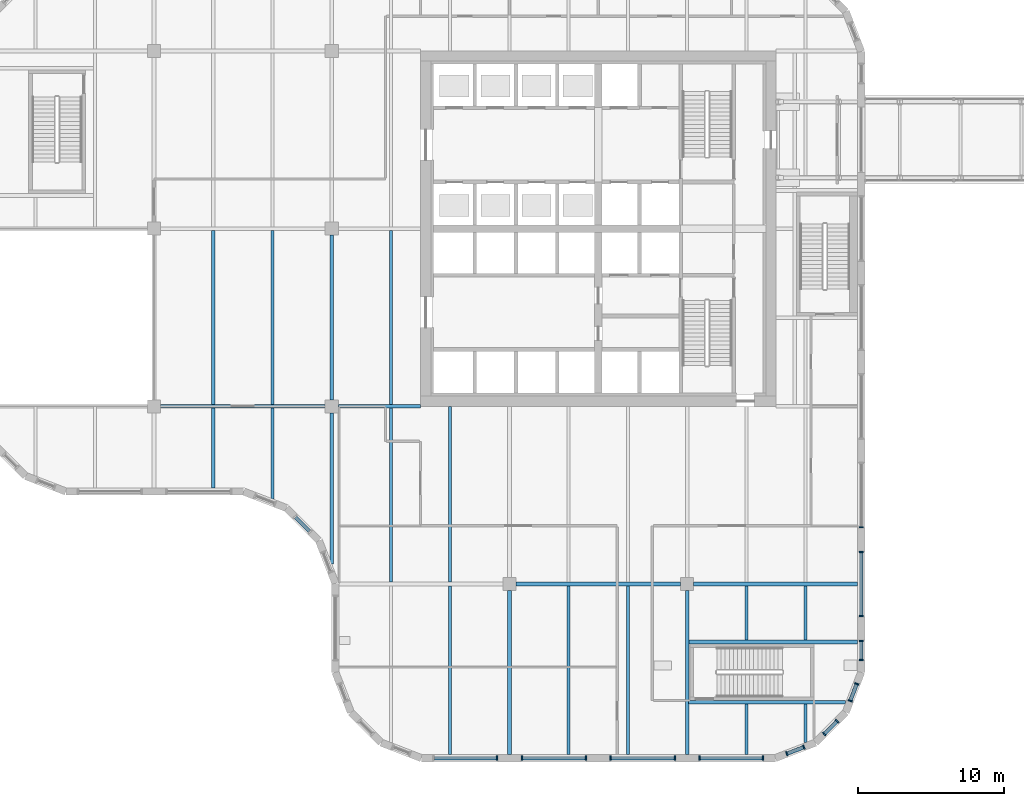
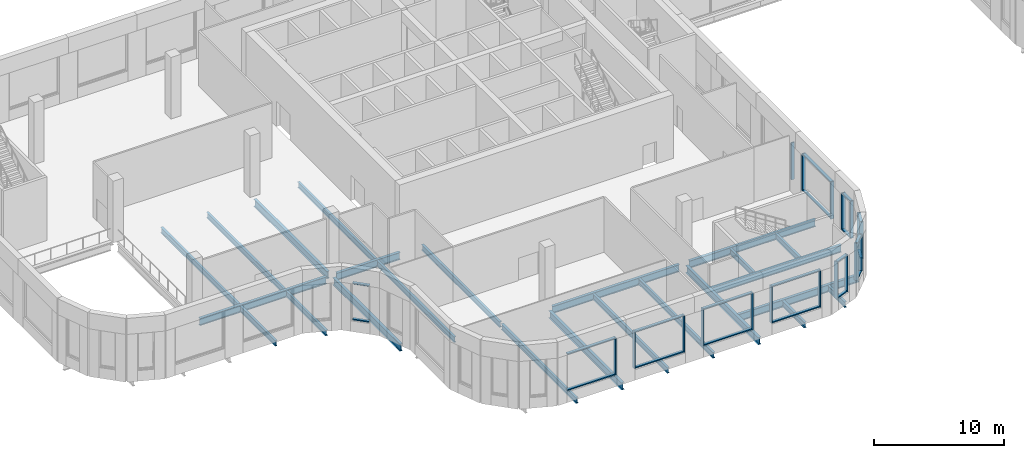
# One storey, part 3 of 36: 38 members, 24 beams, 11 elements without a shape of their own.
"""IFC4 building model written with IfcOpenShell, lengths in metres."""

from ifc_helpers import new_model, si_unit, direction, frame, origin, origin_2d, place, context, subcontext, project, spatial, rectangle, i_section, extrude, material, material_profile, profile_set, type_object, element, aggregate, save


model = new_model("IFC4")

# Units and contexts
model_context = context("Model", 3, precision=1e-05, world=origin(), true_north=direction((0.0, 1.0)))
body_context = subcontext(model_context, "Body", "Model", "MODEL_VIEW")
ifc_project = project(units=[si_unit("LENGTHUNIT", "METRE"), si_unit("AREAUNIT", "SQUARE_METRE"), si_unit("VOLUMEUNIT", "CUBIC_METRE"), si_unit("PLANEANGLEUNIT", "RADIAN"), si_unit("MASSUNIT", "GRAM", prefix="KILO")], contexts=[model_context])

# Site, building, storey
site_placement = place(None, origin())
site = spatial("IfcSite", under=ifc_project, at=site_placement, CompositionType="ELEMENT")
building_placement = place(site_placement, origin())
building = spatial("IfcBuilding", under=site, at=building_placement, Name="Tessera Gate Towers", CompositionType="ELEMENT")
storey_placement = place(building_placement, frame((0.0, 0.0, 106.60009765625)))
storey = spatial("IfcBuildingStorey", under=building, at=storey_placement, Name="L26", CompositionType="ELEMENT", Elevation=106.60009765625)

# Beams
ifc_material_1 = material(Name="Steel 350W", Category="steel")
ifc_material_profile_1 = material_profile(ifc_material_1, i_section(OverallWidth=0.2529296875, OverallDepth=0.677978515625, WebThickness=0.01171875, FlangeThickness=0.016357421875, at=origin_2d()), Name="W690x125")
ifc_profile_set_1 = profile_set([ifc_material_profile_1], Name="Steel 350W")
beam_type_1 = type_object("IfcBeamType", Name="FLOOR GIRDER W690x125", PredefinedType="BEAM", material=ifc_profile_set_1)
beam_1_placement = place(storey_placement, frame((37.050048828125, 12.199951171875, -0.589111328125), z_axis=(1.0, 0.0, 0.0), x_axis=(0.0, 1.0, 0.0)))
element("IfcBeam", 1, at=beam_1_placement, inside=storey, type_object=beam_type_1, Name="T1-GD-L26-3402", PredefinedType="BEAM", context=body_context, shape_type="SweptSolid", body=[
    extrude(i_section(OverallWidth=0.2529296875, OverallDepth=0.677978515625, WebThickness=0.01171875, FlangeThickness=0.016357421875, at=origin_2d()), origin(), (0.0, 0.0, 1.0), 11.300048828125),
])
beam_2_placement = place(storey_placement, frame((49.25, 12.199951171875, -0.589111328125), z_axis=(1.0, 0.0, 0.0), x_axis=(0.0, 1.0, 0.0)))
element("IfcBeam", 2, at=beam_2_placement, inside=storey, type_object=beam_type_1, Name="T1-GD-L26-3403", PredefinedType="BEAM", context=body_context, shape_type="SweptSolid", body=[
    extrude(i_section(OverallWidth=0.2529296875, OverallDepth=0.677978515625, WebThickness=0.01171875, FlangeThickness=0.016357421875, at=origin_2d()), origin(), (0.0, 0.0, 1.0), 11.2509765625),
])
beam_3_placement = place(storey_placement, frame((12.64990234375, 24.39990234375, -0.589111328125), z_axis=(1.0, 0.0, 0.0), x_axis=(0.0, 1.0, 0.0)))
element("IfcBeam", 3, at=beam_3_placement, inside=storey, type_object=beam_type_1, Name="T1-GD-L26-3405", PredefinedType="BEAM", context=body_context, shape_type="SweptSolid", body=[
    extrude(i_section(OverallWidth=0.2529296875, OverallDepth=0.677978515625, WebThickness=0.01171875, FlangeThickness=0.016357421875, at=origin_2d()), origin(), (0.0, 0.0, 1.0), 11.300048828125),
])
beam_4_placement = place(storey_placement, frame((24.85009765625, 24.39990234375, -0.589111328125), z_axis=(1.0, 0.0, 0.0), x_axis=(0.0, 1.0, 0.0)))
element("IfcBeam", 4, at=beam_4_placement, inside=storey, type_object=beam_type_1, Name="T1-GD-L26-3406", PredefinedType="BEAM", context=body_context, shape_type="SweptSolid", body=[
    extrude(i_section(OverallWidth=0.2529296875, OverallDepth=0.677978515625, WebThickness=0.01171875, FlangeThickness=0.016357421875, at=origin_2d()), origin(), (0.0, 0.0, 1.0), 5.64892578125),
])
beam_5_placement = place(storey_placement, frame((24.39990234375, 13.58642578125, -0.589111328125), z_axis=(0.0, 1.0, 0.0), x_axis=(-1.0, 0.0, 0.0)))
element("IfcBeam", 5, at=beam_5_placement, inside=storey, type_object=beam_type_1, Name="T1-GD-L26-3420", PredefinedType="BEAM", context=body_context, shape_type="SweptSolid", body=[
    extrude(i_section(OverallWidth=0.2529296875, OverallDepth=0.677978515625, WebThickness=0.01171875, FlangeThickness=0.016357421875, at=origin_2d()), origin(), (0.0, 0.0, 1.0), 10.363525390625),
])
beam_6_placement = place(storey_placement, frame((24.39990234375, 24.85009765625, -0.589111328125), z_axis=(0.0, 1.0, 0.0), x_axis=(-1.0, 0.0, 0.0)))
element("IfcBeam", 6, at=beam_6_placement, inside=storey, type_object=beam_type_1, Name="T1-GD-L26-3421", PredefinedType="BEAM", context=body_context, shape_type="SweptSolid", body=[
    extrude(i_section(OverallWidth=0.2529296875, OverallDepth=0.677978515625, WebThickness=0.01171875, FlangeThickness=0.016357421875, at=origin_2d()), origin(), (0.0, 0.0, 1.0), 11.2998046875),
])
for number, where, z_axis, x_axis, name in (
    (7, (36.60009765625, 0.4990234375, -0.589111328125), (0.0, 1.0, 0.0), (-1.0, 0.0, 0.0), "T1-GD-L26-3424"),
    (8, (48.800048828125, 0.4990234375, -0.589111328125), (0.0, 1.0, 0.0), (-1.0, 0.0, 0.0), "T1-GD-L26-3426"),
):
    element("IfcBeam", number, at=place(storey_placement, frame(where, z_axis=z_axis, x_axis=x_axis)), inside=storey, type_object=beam_type_1, Name=name, PredefinedType="BEAM", context=body_context, shape_type="SweptSolid", body=[
        extrude(i_section(OverallWidth=0.2529296875, OverallDepth=0.677978515625, WebThickness=0.01171875, FlangeThickness=0.016357421875, at=origin_2d()), origin(), (0.0, 0.0, 1.0), 11.2509765625),
    ])
beam_7_placement = place(storey_placement, frame((48.904541015625, 4.080078125, -0.589111328125), z_axis=(1.0, 0.0, 0.0), x_axis=(0.0, 1.0, 0.0)))
element("IfcBeam", 9, at=beam_7_placement, inside=storey, type_object=beam_type_1, Name="T1-GD-L26-3430", PredefinedType="BEAM", context=body_context, shape_type="SweptSolid", body=[
    extrude(i_section(OverallWidth=0.2529296875, OverallDepth=0.677978515625, WebThickness=0.01171875, FlangeThickness=0.016357421875, at=origin_2d()), origin(), (0.0, 0.0, 1.0), 10.78125),
])
beam_8_placement = place(storey_placement, frame((48.904541015625, 8.219970703125, -0.589111328125), z_axis=(1.0, 0.0, 0.0), x_axis=(0.0, 1.0, 0.0)))
element("IfcBeam", 10, at=beam_8_placement, inside=storey, type_object=beam_type_1, Name="T1-GD-L26-3431", PredefinedType="BEAM", context=body_context, shape_type="SweptSolid", body=[
    extrude(i_section(OverallWidth=0.2529296875, OverallDepth=0.677978515625, WebThickness=0.01171875, FlangeThickness=0.016357421875, at=origin_2d()), origin(), (0.0, 0.0, 1.0), 11.596435546875),
])
ifc_material_2 = material(Name="Steel 350W", Category="steel")
ifc_material_profile_2 = material_profile(ifc_material_2, i_section(OverallWidth=0.208984375, OverallDepth=0.528076171875, WebThickness=0.009521484375, FlangeThickness=0.01318359375, at=origin_2d()), Name="W530x82")
ifc_profile_set_2 = profile_set([ifc_material_profile_2], Name="Steel 350W")
beam_type_2 = type_object("IfcBeamType", Name="FLOOR SECONDARY W530x82", PredefinedType="BEAM", material=ifc_profile_set_2)
beam_9_placement = place(storey_placement, frame((16.2666015625, 18.800048828125, -0.51416015625), z_axis=(0.0, 1.0, 0.0), x_axis=(-1.0, 0.0, 0.0)))
element("IfcBeam", 11, at=beam_9_placement, inside=storey, type_object=beam_type_2, Name="T1-BM-L26-3443", PredefinedType="BEAM", context=body_context, shape_type="SweptSolid", body=[
    extrude(i_section(OverallWidth=0.208984375, OverallDepth=0.528076171875, WebThickness=0.009521484375, FlangeThickness=0.01318359375, at=origin_2d()), origin(), (0.0, 0.0, 1.0), 5.473388671875),
])
beam_10_placement = place(storey_placement, frame((16.2666015625, 24.526611328125, -0.51416015625), z_axis=(0.0, 1.0, 0.0), x_axis=(-1.0, 0.0, 0.0)))
element("IfcBeam", 12, at=beam_10_placement, inside=storey, type_object=beam_type_2, Name="T1-BM-L26-3444", PredefinedType="BEAM", context=body_context, shape_type="SweptSolid", body=[
    extrude(i_section(OverallWidth=0.208984375, OverallDepth=0.528076171875, WebThickness=0.009521484375, FlangeThickness=0.01318359375, at=origin_2d()), origin(), (0.0, 0.0, 1.0), 11.94677734375),
])
beam_11_placement = place(storey_placement, frame((20.333251953125, 18.051513671875, -0.51416015625), z_axis=(0.0, 1.0, 0.0), x_axis=(-1.0, 0.0, 0.0)))
element("IfcBeam", 13, at=beam_11_placement, inside=storey, type_object=beam_type_2, Name="T1-BM-L26-3447", PredefinedType="BEAM", context=body_context, shape_type="SweptSolid", body=[
    extrude(i_section(OverallWidth=0.208984375, OverallDepth=0.528076171875, WebThickness=0.009521484375, FlangeThickness=0.01318359375, at=origin_2d()), origin(), (0.0, 0.0, 1.0), 6.221923828125),
])
beam_12_placement = place(storey_placement, frame((20.333251953125, 24.526611328125, -0.51416015625), z_axis=(0.0, 1.0, 0.0), x_axis=(-1.0, 0.0, 0.0)))
element("IfcBeam", 14, at=beam_12_placement, inside=storey, type_object=beam_type_2, Name="T1-BM-L26-3448", PredefinedType="BEAM", context=body_context, shape_type="SweptSolid", body=[
    extrude(i_section(OverallWidth=0.208984375, OverallDepth=0.528076171875, WebThickness=0.009521484375, FlangeThickness=0.01318359375, at=origin_2d()), origin(), (0.0, 0.0, 1.0), 11.94677734375),
])
beam_13_placement = place(storey_placement, frame((28.466796875, 12.326416015625, -0.51416015625), z_axis=(0.0, 1.0, 0.0), x_axis=(-1.0, 0.0, 0.0)))
element("IfcBeam", 15, at=beam_13_placement, inside=storey, type_object=beam_type_2, Name="T1-BM-L26-3452", PredefinedType="BEAM", context=body_context, shape_type="SweptSolid", body=[
    extrude(i_section(OverallWidth=0.208984375, OverallDepth=0.528076171875, WebThickness=0.009521484375, FlangeThickness=0.01318359375, at=origin_2d()), origin(), (0.0, 0.0, 1.0), 11.947021484375),
])
beam_14_placement = place(storey_placement, frame((28.466796875, 24.526611328125, -0.51416015625), z_axis=(0.0, 1.0, 0.0), x_axis=(-1.0, 0.0, 0.0)))
element("IfcBeam", 16, at=beam_14_placement, inside=storey, type_object=beam_type_2, Name="T1-BM-L26-3453", PredefinedType="BEAM", context=body_context, shape_type="SweptSolid", body=[
    extrude(i_section(OverallWidth=0.208984375, OverallDepth=0.528076171875, WebThickness=0.009521484375, FlangeThickness=0.01318359375, at=origin_2d()), origin(), (0.0, 0.0, 1.0), 11.94677734375),
])
beam_15_placement = place(storey_placement, frame((32.533203125, 0.5, -0.51416015625), z_axis=(0.0, 1.0, 0.0), x_axis=(-1.0, 0.0, 0.0)))
element("IfcBeam", 17, at=beam_15_placement, inside=storey, type_object=beam_type_2, Name="T1-BM-L26-3456", PredefinedType="BEAM", context=body_context, shape_type="SweptSolid", body=[
    extrude(i_section(OverallWidth=0.208984375, OverallDepth=0.528076171875, WebThickness=0.009521484375, FlangeThickness=0.01318359375, at=origin_2d()), origin(), (0.0, 0.0, 1.0), 11.573486328125),
])
beam_16_placement = place(storey_placement, frame((32.533203125, 12.326416015625, -0.51416015625), z_axis=(0.0, 1.0, 0.0), x_axis=(-1.0, 0.0, 0.0)))
element("IfcBeam", 18, at=beam_16_placement, inside=storey, type_object=beam_type_2, Name="T1-BM-L26-3457", PredefinedType="BEAM", context=body_context, shape_type="SweptSolid", body=[
    extrude(i_section(OverallWidth=0.208984375, OverallDepth=0.528076171875, WebThickness=0.009521484375, FlangeThickness=0.01318359375, at=origin_2d()), origin(), (0.0, 0.0, 1.0), 12.073486328125),
])
for number, where, z_axis, x_axis, name in (
    (19, (40.666748046875, 0.5, -0.51416015625), (0.0, 1.0, 0.0), (-1.0, 0.0, 0.0), "T1-BM-L26-3460"),
    (20, (44.7333984375, 0.5, -0.51416015625), (0.0, 1.0, 0.0), (-1.0, 0.0, 0.0), "T1-BM-L26-3463"),
):
    element("IfcBeam", number, at=place(storey_placement, frame(where, z_axis=z_axis, x_axis=x_axis)), inside=storey, type_object=beam_type_2, Name=name, PredefinedType="BEAM", context=body_context, shape_type="SweptSolid", body=[
        extrude(i_section(OverallWidth=0.208984375, OverallDepth=0.528076171875, WebThickness=0.009521484375, FlangeThickness=0.01318359375, at=origin_2d()), origin(), (0.0, 0.0, 1.0), 11.573486328125),
    ])
beam_17_placement = place(storey_placement, frame((52.86669921875, 0.5, -0.51416015625), z_axis=(0.0, 1.0, 0.0), x_axis=(-1.0, 0.0, 0.0)))
element("IfcBeam", 21, at=beam_17_placement, inside=storey, type_object=beam_type_2, Name="T1-BM-L26-3467", PredefinedType="BEAM", context=body_context, shape_type="SweptSolid", body=[
    extrude(i_section(OverallWidth=0.208984375, OverallDepth=0.528076171875, WebThickness=0.009521484375, FlangeThickness=0.01318359375, at=origin_2d()), origin(), (0.0, 0.0, 1.0), 3.45361328125),
])
beam_18_placement = place(storey_placement, frame((52.86669921875, 8.346435546875, -0.51416015625), z_axis=(0.0, 1.0, 0.0), x_axis=(-1.0, 0.0, 0.0)))
element("IfcBeam", 22, at=beam_18_placement, inside=storey, type_object=beam_type_2, Name="T1-BM-L26-3468", PredefinedType="BEAM", context=body_context, shape_type="SweptSolid", body=[
    extrude(i_section(OverallWidth=0.208984375, OverallDepth=0.528076171875, WebThickness=0.009521484375, FlangeThickness=0.01318359375, at=origin_2d()), origin(), (0.0, 0.0, 1.0), 3.72705078125),
])
beam_19_placement = place(storey_placement, frame((56.933349609375, 1.3203125, -0.51416015625), z_axis=(0.0, 1.0, 0.0), x_axis=(-1.0, 0.0, 0.0)))
element("IfcBeam", 23, at=beam_19_placement, inside=storey, type_object=beam_type_2, Name="T1-BM-L26-3471", PredefinedType="BEAM", context=body_context, shape_type="SweptSolid", body=[
    extrude(i_section(OverallWidth=0.208984375, OverallDepth=0.528076171875, WebThickness=0.009521484375, FlangeThickness=0.01318359375, at=origin_2d()), origin(), (0.0, 0.0, 1.0), 2.63330078125),
])
beam_20_placement = place(storey_placement, frame((56.933349609375, 8.346435546875, -0.51416015625), z_axis=(0.0, 1.0, 0.0), x_axis=(-1.0, 0.0, 0.0)))
element("IfcBeam", 24, at=beam_20_placement, inside=storey, type_object=beam_type_2, Name="T1-BM-L26-3472", PredefinedType="BEAM", context=body_context, shape_type="SweptSolid", body=[
    extrude(i_section(OverallWidth=0.208984375, OverallDepth=0.528076171875, WebThickness=0.009521484375, FlangeThickness=0.01318359375, at=origin_2d()), origin(), (0.0, 0.0, 1.0), 3.72705078125),
])

# Curtain wall, member
ifc_material_3 = material(Name="Aluminium frame", Category="aluminium")
curtain_wall_type = type_object("IfcCurtainWallType", Name="CW-S3 amenity floor glazing", PredefinedType="NOTDEFINED", material=ifc_material_3)
curtain_wall_1_placement = place(storey_placement, origin())
curtain_wall_1 = element("IfcCurtainWall", 25, at=curtain_wall_1_placement, inside=storey, type_object=curtain_wall_type, Name="Curtain wall amenity floor glazing 0001", PredefinedType="NOTDEFINED")
ifc_material_4 = material(Name="Aluminium frame", Category="aluminium")
ifc_material_profile_3 = material_profile(ifc_material_4, rectangle(XDim=0.10009765625, YDim=0.300048828125, at=origin_2d()), Name="AL 100x300")
ifc_profile_set_3 = profile_set([ifc_material_profile_3], Name="Aluminium frame")
member_type_1 = type_object("IfcMemberType", Name="MU-S3 mullion 100x300", PredefinedType="MULLION", material=ifc_profile_set_3)
member_1_placement = place(storey_placement, frame((35.75, 0.25, 1.0), z_axis=(0.0, 0.0, 1.0), x_axis=(1.0, 0.0, 0.0)))
member_1 = element("IfcMember", 26, at=member_1_placement, type_object=member_type_1, Name="T1-CW3-0001 mullion 2", PredefinedType="MULLION", context=body_context, shape_type="SweptSolid", body=[
    extrude(rectangle(XDim=0.10009765625, YDim=0.300048828125, at=origin_2d()), origin(), (0.0, 0.0, 1.0), 3.5),
])

# Curtain wall, members
curtain_wall_2_placement = place(storey_placement, origin())
curtain_wall_2 = element("IfcCurtainWall", 27, at=curtain_wall_2_placement, inside=storey, type_object=curtain_wall_type, Name="Curtain wall amenity floor glazing 0002", PredefinedType="NOTDEFINED")
member_2_placement = place(storey_placement, frame((37.449951171875, 0.25, 1.0), z_axis=(0.0, 0.0, 1.0), x_axis=(1.0, 0.0, 0.0)))
member_2 = element("IfcMember", 28, at=member_2_placement, type_object=member_type_1, Name="T1-CW3-0002 mullion 1", PredefinedType="MULLION", context=body_context, shape_type="SweptSolid", body=[
    extrude(rectangle(XDim=0.10009765625, YDim=0.300048828125, at=origin_2d()), origin(), (0.0, 0.0, 1.0), 3.5),
])
member_3_placement = place(storey_placement, frame((41.85009765625, 0.25, 1.0), z_axis=(0.0, 0.0, 1.0), x_axis=(1.0, 0.0, 0.0)))
member_3 = element("IfcMember", 29, at=member_3_placement, type_object=member_type_1, Name="T1-CW3-0002 mullion 2", PredefinedType="MULLION", context=body_context, shape_type="SweptSolid", body=[
    extrude(rectangle(XDim=0.10009765625, YDim=0.300048828125, at=origin_2d()), origin(), (0.0, 0.0, 1.0), 3.5),
])

curtain_wall_3_placement = place(storey_placement, origin())
curtain_wall_3 = element("IfcCurtainWall", 30, at=curtain_wall_3_placement, inside=storey, type_object=curtain_wall_type, Name="Curtain wall amenity floor glazing 0003", PredefinedType="NOTDEFINED")
member_4_placement = place(storey_placement, frame((43.550048828125, 0.25, 1.0), z_axis=(0.0, 0.0, 1.0), x_axis=(1.0, 0.0, 0.0)))
member_4 = element("IfcMember", 31, at=member_4_placement, type_object=member_type_1, Name="T1-CW3-0003 mullion 1", PredefinedType="MULLION", context=body_context, shape_type="SweptSolid", body=[
    extrude(rectangle(XDim=0.10009765625, YDim=0.300048828125, at=origin_2d()), origin(), (0.0, 0.0, 1.0), 3.5),
])
member_5_placement = place(storey_placement, frame((47.949951171875, 0.25, 1.0), z_axis=(0.0, 0.0, 1.0), x_axis=(1.0, 0.0, 0.0)))
member_5 = element("IfcMember", 32, at=member_5_placement, type_object=member_type_1, Name="T1-CW3-0003 mullion 2", PredefinedType="MULLION", context=body_context, shape_type="SweptSolid", body=[
    extrude(rectangle(XDim=0.10009765625, YDim=0.300048828125, at=origin_2d()), origin(), (0.0, 0.0, 1.0), 3.5),
])

curtain_wall_4_placement = place(storey_placement, origin())
curtain_wall_4 = element("IfcCurtainWall", 33, at=curtain_wall_4_placement, inside=storey, type_object=curtain_wall_type, Name="Curtain wall amenity floor glazing 0004", PredefinedType="NOTDEFINED")
member_6_placement = place(storey_placement, frame((49.64990234375, 0.25, 1.0), z_axis=(0.0, 0.0, 1.0), x_axis=(1.0, 0.0, 0.0)))
member_6 = element("IfcMember", 34, at=member_6_placement, type_object=member_type_1, Name="T1-CW3-0004 mullion 1", PredefinedType="MULLION", context=body_context, shape_type="SweptSolid", body=[
    extrude(rectangle(XDim=0.10009765625, YDim=0.300048828125, at=origin_2d()), origin(), (0.0, 0.0, 1.0), 3.5),
])
member_7_placement = place(storey_placement, frame((54.00341796875, 0.25, 1.0), z_axis=(0.0, 0.0, 1.0), x_axis=(1.0, 0.0, 0.0)))
member_7 = element("IfcMember", 35, at=member_7_placement, type_object=member_type_1, Name="T1-CW3-0004 mullion 2", PredefinedType="MULLION", context=body_context, shape_type="SweptSolid", body=[
    extrude(rectangle(XDim=0.10009765625, YDim=0.300048828125, at=origin_2d()), origin(), (0.0, 0.0, 1.0), 3.5),
])

curtain_wall_5_placement = place(storey_placement, origin())
curtain_wall_5 = element("IfcCurtainWall", 36, at=curtain_wall_5_placement, inside=storey, type_object=curtain_wall_type, Name="Curtain wall amenity floor glazing 0005", PredefinedType="NOTDEFINED")
member_8_placement = place(storey_placement, frame((55.646484375, 0.555908203125, 1.0), z_axis=(0.0, 0.0, 1.0), x_axis=(0.932989314041, 0.359904070394, 0.0)))
member_8 = element("IfcMember", 37, at=member_8_placement, type_object=member_type_1, Name="T1-CW3-0005 mullion 1", PredefinedType="MULLION", context=body_context, shape_type="SweptSolid", body=[
    extrude(rectangle(XDim=0.10009765625, YDim=0.300048828125, at=origin_2d()), origin(), (0.0, 0.0, 1.0), 3.5),
])
member_9_placement = place(storey_placement, frame((56.813232421875, 1.006103515625, 1.0), z_axis=(0.0, 0.0, 1.0), x_axis=(0.932989314041, 0.359904070394, 0.0)))
member_9 = element("IfcMember", 38, at=member_9_placement, type_object=member_type_1, Name="T1-CW3-0005 mullion 2", PredefinedType="MULLION", context=body_context, shape_type="SweptSolid", body=[
    extrude(rectangle(XDim=0.10009765625, YDim=0.300048828125, at=origin_2d()), origin(), (0.0, 0.0, 1.0), 3.5),
])

curtain_wall_6_placement = place(storey_placement, origin())
curtain_wall_6 = element("IfcCurtainWall", 39, at=curtain_wall_6_placement, inside=storey, type_object=curtain_wall_type, Name="Curtain wall amenity floor glazing 0006", PredefinedType="NOTDEFINED")
member_10_placement = place(storey_placement, frame((58.207275390625, 1.912841796875, 1.0), z_axis=(0.0, 0.0, 1.0), x_axis=(0.707106781187, 0.707106781187, 0.0)))
member_10 = element("IfcMember", 40, at=member_10_placement, type_object=member_type_1, Name="T1-CW3-0006 mullion 1", PredefinedType="MULLION", context=body_context, shape_type="SweptSolid", body=[
    extrude(rectangle(XDim=0.10009765625, YDim=0.300048828125, at=origin_2d()), origin(), (0.0, 0.0, 1.0), 3.5),
])
member_11_placement = place(storey_placement, frame((59.087158203125, 2.792724609375, 1.0), z_axis=(0.0, 0.0, 1.0), x_axis=(0.707106781187, 0.707106781187, 0.0)))
member_11 = element("IfcMember", 41, at=member_11_placement, type_object=member_type_1, Name="T1-CW3-0006 mullion 2", PredefinedType="MULLION", context=body_context, shape_type="SweptSolid", body=[
    extrude(rectangle(XDim=0.10009765625, YDim=0.300048828125, at=origin_2d()), origin(), (0.0, 0.0, 1.0), 3.5),
])

curtain_wall_7_placement = place(storey_placement, origin())
curtain_wall_7 = element("IfcCurtainWall", 42, at=curtain_wall_7_placement, inside=storey, type_object=curtain_wall_type, Name="Curtain wall amenity floor glazing 0007", PredefinedType="NOTDEFINED")
member_12_placement = place(storey_placement, frame((59.993896484375, 4.186767578125, 1.0), z_axis=(0.0, 0.0, 1.0), x_axis=(0.359904070394, 0.932989314041, 0.0)))
member_12 = element("IfcMember", 43, at=member_12_placement, type_object=member_type_1, Name="T1-CW3-0007 mullion 1", PredefinedType="MULLION", context=body_context, shape_type="SweptSolid", body=[
    extrude(rectangle(XDim=0.10009765625, YDim=0.300048828125, at=origin_2d()), origin(), (0.0, 0.0, 1.0), 3.5),
])
member_13_placement = place(storey_placement, frame((60.444091796875, 5.353515625, 1.0), z_axis=(0.0, 0.0, 1.0), x_axis=(0.359904070394, 0.932989314041, 0.0)))
member_13 = element("IfcMember", 44, at=member_13_placement, type_object=member_type_1, Name="T1-CW3-0007 mullion 2", PredefinedType="MULLION", context=body_context, shape_type="SweptSolid", body=[
    extrude(rectangle(XDim=0.10009765625, YDim=0.300048828125, at=origin_2d()), origin(), (0.0, 0.0, 1.0), 3.5),
])

curtain_wall_8_placement = place(storey_placement, origin())
curtain_wall_8 = element("IfcCurtainWall", 45, at=curtain_wall_8_placement, inside=storey, type_object=curtain_wall_type, Name="Curtain wall amenity floor glazing 0008", PredefinedType="NOTDEFINED")
member_14_placement = place(storey_placement, frame((60.75, 6.99658203125, 1.0), z_axis=(0.0, 0.0, 1.0), x_axis=(0.0, 1.0, 0.0)))
member_14 = element("IfcMember", 46, at=member_14_placement, type_object=member_type_1, Name="T1-CW3-0008 mullion 1", PredefinedType="MULLION", context=body_context, shape_type="SweptSolid", body=[
    extrude(rectangle(XDim=0.10009765625, YDim=0.300048828125, at=origin_2d()), origin(), (0.0, 0.0, 1.0), 3.5),
])
member_15_placement = place(storey_placement, frame((60.75, 8.300048828125, 1.0), z_axis=(0.0, 0.0, 1.0), x_axis=(0.0, 1.0, 0.0)))
member_15 = element("IfcMember", 47, at=member_15_placement, type_object=member_type_1, Name="T1-CW3-0008 mullion 2", PredefinedType="MULLION", context=body_context, shape_type="SweptSolid", body=[
    extrude(rectangle(XDim=0.10009765625, YDim=0.300048828125, at=origin_2d()), origin(), (0.0, 0.0, 1.0), 3.5),
])

curtain_wall_9_placement = place(storey_placement, origin())
curtain_wall_9 = element("IfcCurtainWall", 48, at=curtain_wall_9_placement, inside=storey, type_object=curtain_wall_type, Name="Curtain wall amenity floor glazing 0009", PredefinedType="NOTDEFINED")
member_16_placement = place(storey_placement, frame((60.75, 10.0, 1.0), z_axis=(0.0, 0.0, 1.0), x_axis=(0.0, 1.0, 0.0)))
member_16 = element("IfcMember", 49, at=member_16_placement, type_object=member_type_1, Name="T1-CW3-0009 mullion 1", PredefinedType="MULLION", context=body_context, shape_type="SweptSolid", body=[
    extrude(rectangle(XDim=0.10009765625, YDim=0.300048828125, at=origin_2d()), origin(), (0.0, 0.0, 1.0), 3.5),
])
member_17_placement = place(storey_placement, frame((60.75, 14.39990234375, 1.0), z_axis=(0.0, 0.0, 1.0), x_axis=(0.0, 1.0, 0.0)))
member_17 = element("IfcMember", 50, at=member_17_placement, type_object=member_type_1, Name="T1-CW3-0009 mullion 2", PredefinedType="MULLION", context=body_context, shape_type="SweptSolid", body=[
    extrude(rectangle(XDim=0.10009765625, YDim=0.300048828125, at=origin_2d()), origin(), (0.0, 0.0, 1.0), 3.5),
])

# Curtain wall, member
curtain_wall_10_placement = place(storey_placement, origin())
curtain_wall_10 = element("IfcCurtainWall", 51, at=curtain_wall_10_placement, inside=storey, type_object=curtain_wall_type, Name="Curtain wall amenity floor glazing 0010", PredefinedType="NOTDEFINED")
member_18_placement = place(storey_placement, frame((60.75, 16.10009765625, 1.0), z_axis=(0.0, 0.0, 1.0), x_axis=(0.0, 1.0, 0.0)))
member_18 = element("IfcMember", 52, at=member_18_placement, type_object=member_type_1, Name="T1-CW3-0010 mullion 1", PredefinedType="MULLION", context=body_context, shape_type="SweptSolid", body=[
    extrude(rectangle(XDim=0.10009765625, YDim=0.300048828125, at=origin_2d()), origin(), (0.0, 0.0, 1.0), 3.5),
])
aggregate(curtain_wall_10, [member_18])

# Member
ifc_material_5 = material(Name="Aluminium frame", Category="aluminium")
ifc_material_profile_4 = material_profile(ifc_material_5, rectangle(XDim=0.25, YDim=0.10009765625, at=origin_2d()), Name="AL 100x250")
ifc_profile_set_4 = profile_set([ifc_material_profile_4], Name="Aluminium frame")
member_type_2 = type_object("IfcMemberType", Name="TR-S3 transom 100x250", PredefinedType="USERDEFINED", material=ifc_profile_set_4)
member_19_placement = place(storey_placement, frame((31.446533203125, 0.25, 1.0498046875), z_axis=(1.0, 0.0, 0.0), x_axis=(0.0, 1.0, 0.0)))
member_19 = element("IfcMember", 53, at=member_19_placement, type_object=member_type_2, Name="T1-CW3-0001 transom 1.1", ObjectType="TRANSOM", PredefinedType="USERDEFINED", context=body_context, shape_type="SweptSolid", body=[
    extrude(rectangle(XDim=0.25, YDim=0.10009765625, at=origin_2d()), origin(), (0.0, 0.0, 1.0), 4.25341796875),
])

member_20_placement = place(storey_placement, frame((31.446533203125, 0.25, 4.449951171875), z_axis=(1.0, 0.0, 0.0), x_axis=(0.0, 1.0, 0.0)))
member_20 = element("IfcMember", 54, at=member_20_placement, type_object=member_type_2, Name="T1-CW3-0001 transom 1.2", ObjectType="TRANSOM", PredefinedType="USERDEFINED", context=body_context, shape_type="SweptSolid", body=[
    extrude(rectangle(XDim=0.25, YDim=0.10009765625, at=origin_2d()), origin(), (0.0, 0.0, 1.0), 4.25341796875),
])

aggregate(curtain_wall_1, [member_1, member_19, member_20])

member_21_placement = place(storey_placement, frame((37.5, 0.25, 1.0498046875), z_axis=(1.0, 0.0, 0.0), x_axis=(0.0, 1.0, 0.0)))
member_21 = element("IfcMember", 55, at=member_21_placement, type_object=member_type_2, Name="T1-CW3-0002 transom 1.1", ObjectType="TRANSOM", PredefinedType="USERDEFINED", context=body_context, shape_type="SweptSolid", body=[
    extrude(rectangle(XDim=0.25, YDim=0.10009765625, at=origin_2d()), origin(), (0.0, 0.0, 1.0), 4.300048828125),
])

member_22_placement = place(storey_placement, frame((37.5, 0.25, 4.449951171875), z_axis=(1.0, 0.0, 0.0), x_axis=(0.0, 1.0, 0.0)))
member_22 = element("IfcMember", 56, at=member_22_placement, type_object=member_type_2, Name="T1-CW3-0002 transom 1.2", ObjectType="TRANSOM", PredefinedType="USERDEFINED", context=body_context, shape_type="SweptSolid", body=[
    extrude(rectangle(XDim=0.25, YDim=0.10009765625, at=origin_2d()), origin(), (0.0, 0.0, 1.0), 4.300048828125),
])

aggregate(curtain_wall_2, [member_2, member_3, member_21, member_22])

member_23_placement = place(storey_placement, frame((43.60009765625, 0.25, 1.0498046875), z_axis=(1.0, 0.0, 0.0), x_axis=(0.0, 1.0, 0.0)))
member_23 = element("IfcMember", 57, at=member_23_placement, type_object=member_type_2, Name="T1-CW3-0003 transom 1.1", ObjectType="TRANSOM", PredefinedType="USERDEFINED", context=body_context, shape_type="SweptSolid", body=[
    extrude(rectangle(XDim=0.25, YDim=0.10009765625, at=origin_2d()), origin(), (0.0, 0.0, 1.0), 4.2998046875),
])

member_24_placement = place(storey_placement, frame((43.60009765625, 0.25, 4.449951171875), z_axis=(1.0, 0.0, 0.0), x_axis=(0.0, 1.0, 0.0)))
member_24 = element("IfcMember", 58, at=member_24_placement, type_object=member_type_2, Name="T1-CW3-0003 transom 1.2", ObjectType="TRANSOM", PredefinedType="USERDEFINED", context=body_context, shape_type="SweptSolid", body=[
    extrude(rectangle(XDim=0.25, YDim=0.10009765625, at=origin_2d()), origin(), (0.0, 0.0, 1.0), 4.2998046875),
])

aggregate(curtain_wall_3, [member_4, member_5, member_23, member_24])

member_25_placement = place(storey_placement, frame((49.699951171875, 0.25, 1.0498046875), z_axis=(1.0, 0.0, 0.0), x_axis=(0.0, 1.0, 0.0)))
member_25 = element("IfcMember", 59, at=member_25_placement, type_object=member_type_2, Name="T1-CW3-0004 transom 1.1", ObjectType="TRANSOM", PredefinedType="USERDEFINED", context=body_context, shape_type="SweptSolid", body=[
    extrude(rectangle(XDim=0.25, YDim=0.10009765625, at=origin_2d()), origin(), (0.0, 0.0, 1.0), 4.25341796875),
])

member_26_placement = place(storey_placement, frame((49.699951171875, 0.25, 4.449951171875), z_axis=(1.0, 0.0, 0.0), x_axis=(0.0, 1.0, 0.0)))
member_26 = element("IfcMember", 60, at=member_26_placement, type_object=member_type_2, Name="T1-CW3-0004 transom 1.2", ObjectType="TRANSOM", PredefinedType="USERDEFINED", context=body_context, shape_type="SweptSolid", body=[
    extrude(rectangle(XDim=0.25, YDim=0.10009765625, at=origin_2d()), origin(), (0.0, 0.0, 1.0), 4.25341796875),
])

aggregate(curtain_wall_4, [member_6, member_7, member_25, member_26])

member_27_placement = place(storey_placement, frame((55.693115234375, 0.573974609375, 1.0498046875), z_axis=(0.933000640571, 0.359874706938, 0.0), x_axis=(-0.359874706938, 0.933000640571, 0.0)))
member_27 = element("IfcMember", 61, at=member_27_placement, type_object=member_type_2, Name="T1-CW3-0005 transom 1.1", ObjectType="TRANSOM", PredefinedType="USERDEFINED", context=body_context, shape_type="SweptSolid", body=[
    extrude(rectangle(XDim=0.25, YDim=0.10009765625, at=origin_2d()), origin(), (0.0, 0.0, 1.0), 1.150634765625),
])

member_28_placement = place(storey_placement, frame((55.693115234375, 0.573974609375, 4.449951171875), z_axis=(0.933000640571, 0.359874706938, 0.0), x_axis=(-0.359874706938, 0.933000640571, 0.0)))
member_28 = element("IfcMember", 62, at=member_28_placement, type_object=member_type_2, Name="T1-CW3-0005 transom 1.2", ObjectType="TRANSOM", PredefinedType="USERDEFINED", context=body_context, shape_type="SweptSolid", body=[
    extrude(rectangle(XDim=0.25, YDim=0.10009765625, at=origin_2d()), origin(), (0.0, 0.0, 1.0), 1.150634765625),
])

aggregate(curtain_wall_5, [member_8, member_9, member_27, member_28])

member_29_placement = place(storey_placement, frame((58.24267578125, 1.9482421875, 1.0498046875), z_axis=(0.707106781187, 0.707106781187, 0.0), x_axis=(-0.707106781187, 0.707106781187, 0.0)))
member_29 = element("IfcMember", 63, at=member_29_placement, type_object=member_type_2, Name="T1-CW3-0006 transom 1.1", ObjectType="TRANSOM", PredefinedType="USERDEFINED", context=body_context, shape_type="SweptSolid", body=[
    extrude(rectangle(XDim=0.25, YDim=0.10009765625, at=origin_2d()), origin(), (0.0, 0.0, 1.0), 1.144287109375),
])

member_30_placement = place(storey_placement, frame((58.24267578125, 1.9482421875, 4.449951171875), z_axis=(0.707106781187, 0.707106781187, 0.0), x_axis=(-0.707106781187, 0.707106781187, 0.0)))
member_30 = element("IfcMember", 64, at=member_30_placement, type_object=member_type_2, Name="T1-CW3-0006 transom 1.2", ObjectType="TRANSOM", PredefinedType="USERDEFINED", context=body_context, shape_type="SweptSolid", body=[
    extrude(rectangle(XDim=0.25, YDim=0.10009765625, at=origin_2d()), origin(), (0.0, 0.0, 1.0), 1.144287109375),
])

aggregate(curtain_wall_6, [member_10, member_11, member_29, member_30])

member_31_placement = place(storey_placement, frame((60.011962890625, 4.2333984375, 1.0498046875), z_axis=(0.359874706938, 0.933000640571, 0.0), x_axis=(-0.933000640571, 0.359874706938, 0.0)))
member_31 = element("IfcMember", 65, at=member_31_placement, type_object=member_type_2, Name="T1-CW3-0007 transom 1.1", ObjectType="TRANSOM", PredefinedType="USERDEFINED", context=body_context, shape_type="SweptSolid", body=[
    extrude(rectangle(XDim=0.25, YDim=0.10009765625, at=origin_2d()), origin(), (0.0, 0.0, 1.0), 1.150634765625),
])

member_32_placement = place(storey_placement, frame((60.011962890625, 4.2333984375, 4.449951171875), z_axis=(0.359874706938, 0.933000640571, 0.0), x_axis=(-0.933000640571, 0.359874706938, 0.0)))
member_32 = element("IfcMember", 66, at=member_32_placement, type_object=member_type_2, Name="T1-CW3-0007 transom 1.2", ObjectType="TRANSOM", PredefinedType="USERDEFINED", context=body_context, shape_type="SweptSolid", body=[
    extrude(rectangle(XDim=0.25, YDim=0.10009765625, at=origin_2d()), origin(), (0.0, 0.0, 1.0), 1.150634765625),
])

aggregate(curtain_wall_7, [member_12, member_13, member_31, member_32])

member_33_placement = place(storey_placement, frame((60.75, 7.046630859375, 1.0498046875), z_axis=(0.0, 1.0, 0.0), x_axis=(-1.0, 0.0, 0.0)))
member_33 = element("IfcMember", 67, at=member_33_placement, type_object=member_type_2, Name="T1-CW3-0008 transom 1.1", ObjectType="TRANSOM", PredefinedType="USERDEFINED", context=body_context, shape_type="SweptSolid", body=[
    extrude(rectangle(XDim=0.25, YDim=0.10009765625, at=origin_2d()), origin(), (0.0, 0.0, 1.0), 1.203369140625),
])

member_34_placement = place(storey_placement, frame((60.75, 7.046630859375, 4.449951171875), z_axis=(0.0, 1.0, 0.0), x_axis=(-1.0, 0.0, 0.0)))
member_34 = element("IfcMember", 68, at=member_34_placement, type_object=member_type_2, Name="T1-CW3-0008 transom 1.2", ObjectType="TRANSOM", PredefinedType="USERDEFINED", context=body_context, shape_type="SweptSolid", body=[
    extrude(rectangle(XDim=0.25, YDim=0.10009765625, at=origin_2d()), origin(), (0.0, 0.0, 1.0), 1.203369140625),
])

aggregate(curtain_wall_8, [member_14, member_15, member_33, member_34])

member_35_placement = place(storey_placement, frame((60.75, 10.050048828125, 1.0498046875), z_axis=(0.0, 1.0, 0.0), x_axis=(-1.0, 0.0, 0.0)))
member_35 = element("IfcMember", 69, at=member_35_placement, type_object=member_type_2, Name="T1-CW3-0009 transom 1.1", ObjectType="TRANSOM", PredefinedType="USERDEFINED", context=body_context, shape_type="SweptSolid", body=[
    extrude(rectangle(XDim=0.25, YDim=0.10009765625, at=origin_2d()), origin(), (0.0, 0.0, 1.0), 4.300048828125),
])

member_36_placement = place(storey_placement, frame((60.75, 10.050048828125, 4.449951171875), z_axis=(0.0, 1.0, 0.0), x_axis=(-1.0, 0.0, 0.0)))
member_36 = element("IfcMember", 70, at=member_36_placement, type_object=member_type_2, Name="T1-CW3-0009 transom 1.2", ObjectType="TRANSOM", PredefinedType="USERDEFINED", context=body_context, shape_type="SweptSolid", body=[
    extrude(rectangle(XDim=0.25, YDim=0.10009765625, at=origin_2d()), origin(), (0.0, 0.0, 1.0), 4.300048828125),
])

aggregate(curtain_wall_9, [member_16, member_17, member_35, member_36])

# Curtain wall, members
curtain_wall_11_placement = place(storey_placement, origin())
curtain_wall_11 = element("IfcCurtainWall", 71, at=curtain_wall_11_placement, inside=storey, type_object=curtain_wall_type, Name="Curtain wall amenity floor glazing 0039", PredefinedType="NOTDEFINED")
member_37_placement = place(storey_placement, frame((21.92138671875, 16.780029296875, 1.0498046875), z_axis=(0.707106781187, -0.707106781187, 0.0), x_axis=(0.707106781187, 0.707106781187, 0.0)))
member_37 = element("IfcMember", 72, at=member_37_placement, type_object=member_type_2, Name="T1-CW3-0039 transom 1.1", ObjectType="TRANSOM", PredefinedType="USERDEFINED", context=body_context, shape_type="SweptSolid", body=[
    extrude(rectangle(XDim=0.25, YDim=0.10009765625, at=origin_2d()), origin(), (0.0, 0.0, 1.0), 1.35595703125),
])
member_38_placement = place(storey_placement, frame((21.92138671875, 16.780029296875, 4.449951171875), z_axis=(0.707106781187, -0.707106781187, 0.0), x_axis=(0.707106781187, 0.707106781187, 0.0)))
member_38 = element("IfcMember", 73, at=member_38_placement, type_object=member_type_2, Name="T1-CW3-0039 transom 1.2", ObjectType="TRANSOM", PredefinedType="USERDEFINED", context=body_context, shape_type="SweptSolid", body=[
    extrude(rectangle(XDim=0.25, YDim=0.10009765625, at=origin_2d()), origin(), (0.0, 0.0, 1.0), 1.35595703125),
])
aggregate(curtain_wall_11, [member_37, member_38])

save(model, "model.ifc")
